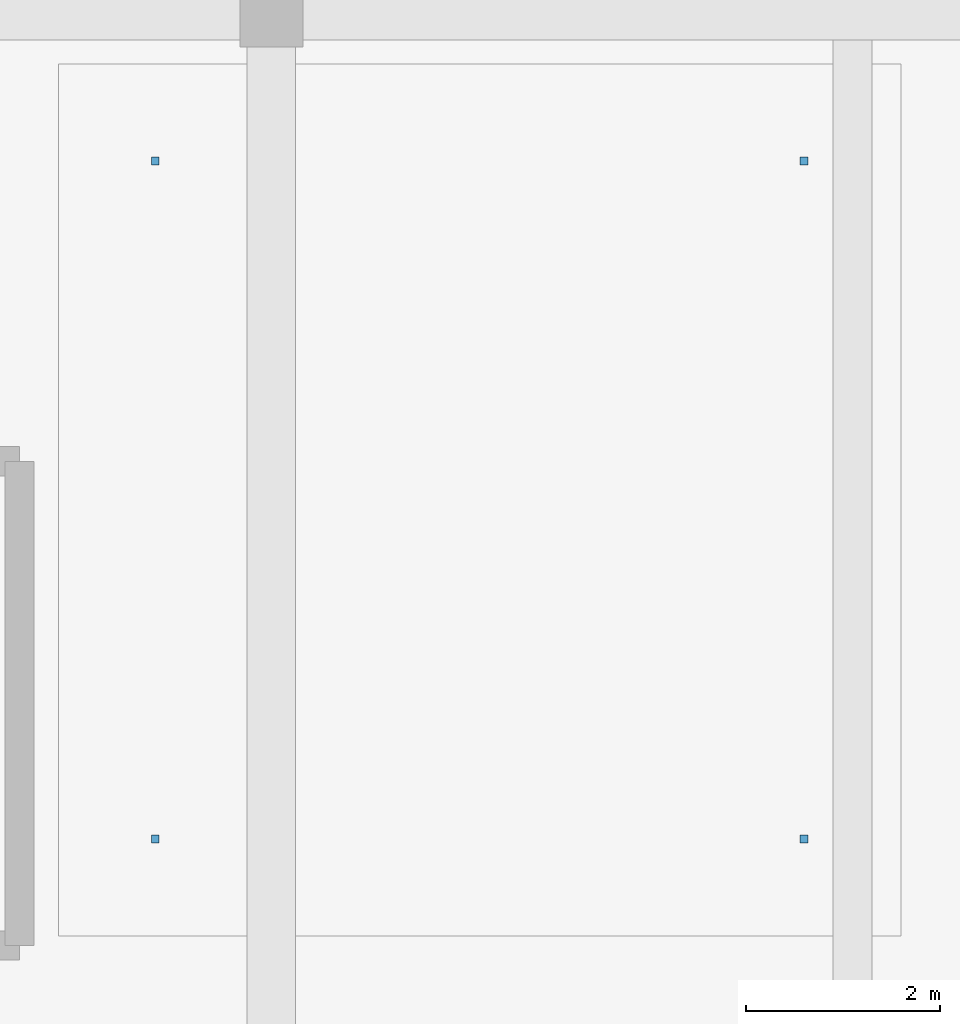
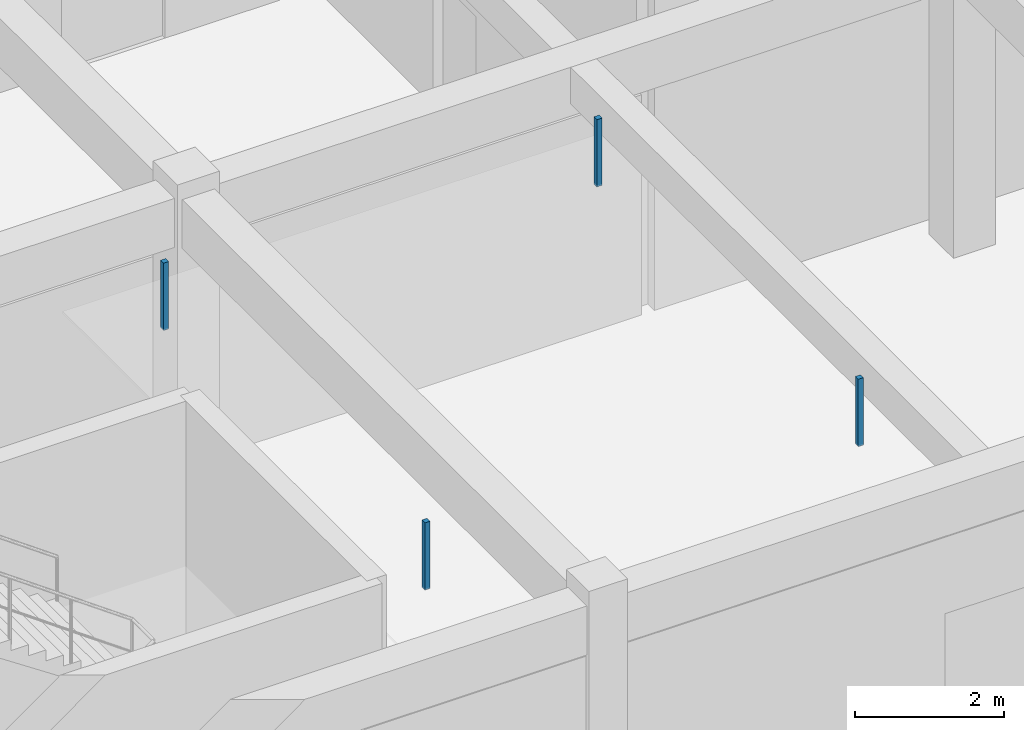
# One storey, part 186 of 197: 4 discrete accessories.
"""IFC4 building model written with IfcOpenShell, lengths in metres."""

from ifc_helpers import new_model, si_unit, derived_unit, direction, frame, origin, origin_2d, place, context, subcontext, project, spatial, rectangle, extrude, material, type_object, element, save


model = new_model("IFC4")

# Units and contexts
model_context = context("Model", 3, precision=1e-05, world=origin(), true_north=direction((0.0, 1.0)))
body_context = subcontext(model_context, "Body", "Model", "MODEL_VIEW")
ifc_project = project(units=[si_unit("LENGTHUNIT", "METRE"), si_unit("AREAUNIT", "SQUARE_METRE"), si_unit("VOLUMEUNIT", "CUBIC_METRE"), si_unit("PLANEANGLEUNIT", "RADIAN"), si_unit("MASSUNIT", "GRAM", prefix="KILO"), derived_unit("THERMALTRANSMITTANCEUNIT", [(si_unit("POWERUNIT", "WATT"), 1), (si_unit("LENGTHUNIT", "METRE"), -2), (si_unit("THERMODYNAMICTEMPERATUREUNIT", "KELVIN"), -1)])], contexts=[model_context])

# Site, building, storey
site_placement = place(None, origin())
site = spatial("IfcSite", under=ifc_project, at=site_placement, CompositionType="ELEMENT")
building_placement = place(site_placement, origin())
building = spatial("IfcBuilding", under=site, at=building_placement, Name="Almenara Railside Exhibition Hall", CompositionType="ELEMENT")
storey_placement = place(building_placement, frame((0.0, 0.0, 5.39990234375)))
storey = spatial("IfcBuildingStorey", under=building, at=storey_placement, Name="L01", CompositionType="ELEMENT", Elevation=5.39990234375)

# Discrete accessories
ifc_material = material(Name="Galvanised steel suspension bracket", Category="steel")
discrete_accessory_type = type_object("IfcDiscreteAccessoryType", Name="Ceiling Suspension Bracket Hanger", PredefinedType="BRACKET", material=ifc_material)
for number, where, z_axis, x_axis, name in (
    (1, (172.800048828125, 2.5, 4.080078125), (0.0, 0.0, 1.0), (1.0, 0.0, 0.0), "Ceiling suspension hanger 0017"),
    (2, (172.800048828125, 9.5, 4.080078125), (0.0, 0.0, 1.0), (1.0, 0.0, 0.0), "Ceiling suspension hanger 0018"),
    (3, (179.5, 2.5, 4.080078125), (0.0, 0.0, 1.0), (1.0, 0.0, 0.0), "Ceiling suspension hanger 0019"),
    (4, (179.5, 9.5, 4.080078125), (0.0, 0.0, 1.0), (1.0, 0.0, 0.0), "Ceiling suspension hanger 0020"),
):
    element("IfcDiscreteAccessory", number, at=place(storey_placement, frame(where, z_axis=z_axis, x_axis=x_axis)), inside=storey, type_object=discrete_accessory_type, Name=name, PredefinedType="BRACKET", context=body_context, shape_type="SweptSolid", body=[
        extrude(rectangle(XDim=0.080078125, YDim=0.080078125, at=origin_2d()), origin(), (0.0, 0.0, 1.0), 1.10009765625),
    ])

save(model, "model.ifc")
